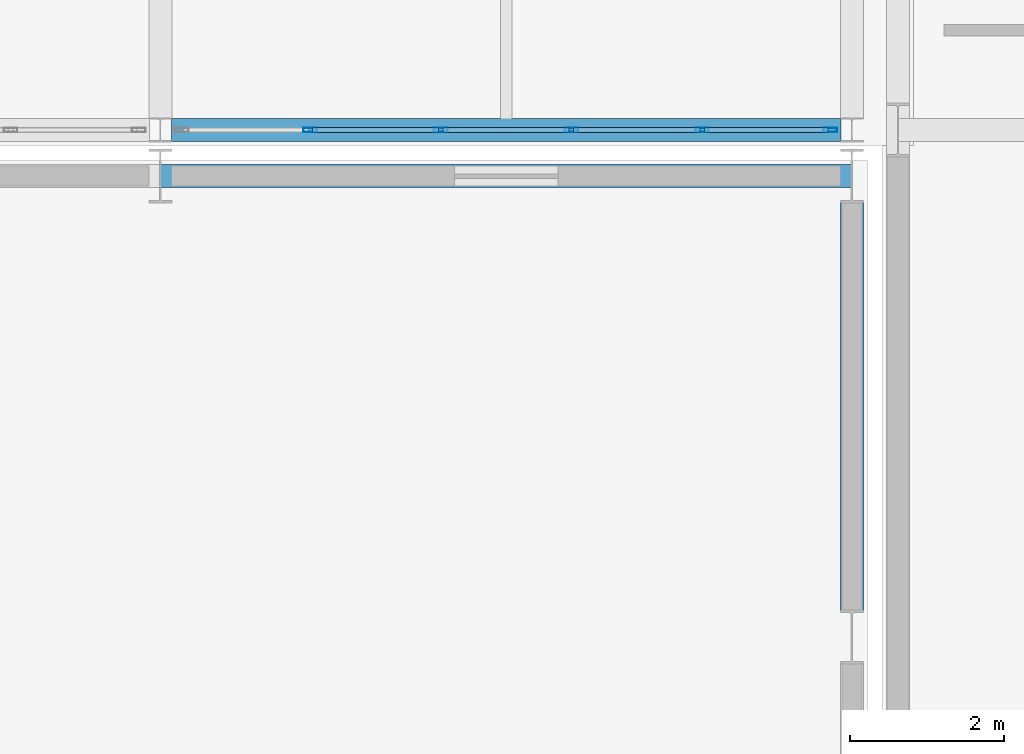
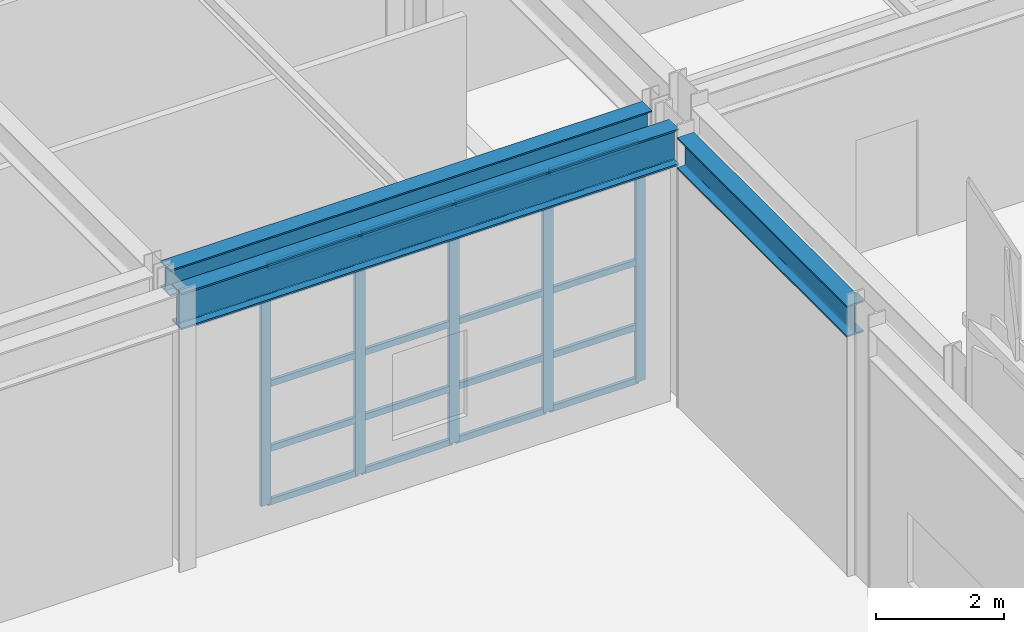
# One storey, part 30 of 239: 21 members, 3 beams, 1 element without a shape of its own.
"""IFC4 building model written with IfcOpenShell, lengths in metres."""

from ifc_helpers import new_model, si_unit, direction, frame, origin, origin_2d, place, context, subcontext, project, spatial, hollow_rectangle, i_section, extrude, material, material_profile, profile_set, type_object, element, aggregate, save


model = new_model("IFC4")

# Units and contexts
model_context = context("Model", 3, precision=1e-05, world=origin(), true_north=direction((0.0, 1.0)))
body_context = subcontext(model_context, "Body", "Model", "MODEL_VIEW")
ifc_project = project(units=[si_unit("LENGTHUNIT", "METRE"), si_unit("AREAUNIT", "SQUARE_METRE"), si_unit("VOLUMEUNIT", "CUBIC_METRE"), si_unit("PLANEANGLEUNIT", "RADIAN"), si_unit("MASSUNIT", "GRAM", prefix="KILO")], contexts=[model_context])

# Site, building, storey
site_placement = place(None, origin())
site = spatial("IfcSite", under=ifc_project, at=site_placement, CompositionType="ELEMENT")
building_placement = place(site_placement, origin())
building = spatial("IfcBuilding", under=site, at=building_placement, Name="Kaldris Quays Convention Centre", CompositionType="ELEMENT")
storey_placement = place(building_placement, frame((0.0, 0.0, 11.39990234375)))
storey = spatial("IfcBuildingStorey", under=building, at=storey_placement, Name="L02", CompositionType="ELEMENT", Elevation=11.39990234375)

# Curtain wall, members
ifc_material_1 = material(Name="Anodized aluminium AW-6060 and triple glazing", Category="aluminium")
curtain_wall_type = type_object("IfcCurtainWallType", Name="UNITISED CURTAIN WALL CW02", PredefinedType="NOTDEFINED", material=ifc_material_1)
curtain_wall_placement = place(storey_placement, origin())
curtain_wall = element("IfcCurtainWall", 1, at=curtain_wall_placement, inside=storey, type_object=curtain_wall_type, Name="L02 Unitised Curtain Wall CW02 102", PredefinedType="NOTDEFINED")
ifc_material_2 = material(Name="Anodized aluminium AW-6060", Category="aluminium")
ifc_material_profile_1 = material_profile(ifc_material_2, hollow_rectangle(XDim=0.06005859375, YDim=0.179931640625, WallThickness=0.0048828125, at=origin_2d()), Name="RHS 180x60x5")
ifc_profile_set_1 = profile_set([ifc_material_profile_1], Name="Anodized aluminium AW-6060")
member_type_1 = type_object("IfcMemberType", Name="CURTAIN MULLION CWM2", PredefinedType="MULLION", material=ifc_profile_set_1)
member_1_placement = place(storey_placement, frame((75.949951171875, 46.60009765625, 0.0), z_axis=(0.0, 0.0, 1.0), x_axis=(0.0, 1.0, 0.0)))
member_1 = element("IfcMember", 2, at=member_1_placement, type_object=member_type_1, Name="CW02 mullion 2", PredefinedType="MULLION", context=body_context, shape_type="SweptSolid", body=[
    extrude(hollow_rectangle(XDim=0.06005859375, YDim=0.179931640625, WallThickness=0.0048828125, at=origin_2d()), origin(), (0.0, 0.0, 1.0), 4.578125),
])
member_2_placement = place(storey_placement, frame((77.64990234375, 46.60009765625, 0.0), z_axis=(0.0, 0.0, 1.0), x_axis=(0.0, 1.0, 0.0)))
member_2 = element("IfcMember", 3, at=member_2_placement, type_object=member_type_1, Name="CW02 mullion 3", PredefinedType="MULLION", context=body_context, shape_type="SweptSolid", body=[
    extrude(hollow_rectangle(XDim=0.06005859375, YDim=0.179931640625, WallThickness=0.0048828125, at=origin_2d()), origin(), (0.0, 0.0, 1.0), 4.578125),
])
member_3_placement = place(storey_placement, frame((79.35009765625, 46.60009765625, 0.0), z_axis=(0.0, 0.0, 1.0), x_axis=(0.0, 1.0, 0.0)))
member_3 = element("IfcMember", 4, at=member_3_placement, type_object=member_type_1, Name="CW02 mullion 4", PredefinedType="MULLION", context=body_context, shape_type="SweptSolid", body=[
    extrude(hollow_rectangle(XDim=0.06005859375, YDim=0.179931640625, WallThickness=0.0048828125, at=origin_2d()), origin(), (0.0, 0.0, 1.0), 4.578125),
])
member_4_placement = place(storey_placement, frame((81.050048828125, 46.60009765625, 0.0), z_axis=(0.0, 0.0, 1.0), x_axis=(0.0, 1.0, 0.0)))
member_4 = element("IfcMember", 5, at=member_4_placement, type_object=member_type_1, Name="CW02 mullion 5", PredefinedType="MULLION", context=body_context, shape_type="SweptSolid", body=[
    extrude(hollow_rectangle(XDim=0.06005859375, YDim=0.179931640625, WallThickness=0.0048828125, at=origin_2d()), origin(), (0.0, 0.0, 1.0), 4.578125),
])
member_5_placement = place(storey_placement, frame((82.719970703125, 46.60009765625, 0.0), z_axis=(0.0, 0.0, 1.0), x_axis=(0.0, 1.0, 0.0)))
member_5 = element("IfcMember", 6, at=member_5_placement, type_object=member_type_1, Name="CW02 mullion 6", PredefinedType="MULLION", context=body_context, shape_type="SweptSolid", body=[
    extrude(hollow_rectangle(XDim=0.06005859375, YDim=0.179931640625, WallThickness=0.0048828125, at=origin_2d()), origin(), (0.0, 0.0, 1.0), 4.578125),
])
ifc_material_profile_2 = material_profile(ifc_material_2, hollow_rectangle(XDim=0.06005859375, YDim=0.1201171875, WallThickness=0.00390625, at=origin_2d()), Name="RHS 120x60x4")
ifc_profile_set_2 = profile_set([ifc_material_profile_2], Name="Anodized aluminium AW-6060")
member_type_2 = type_object("IfcMemberType", Name="CURTAIN TRANSOM CWT1", PredefinedType="USERDEFINED", material=ifc_profile_set_2)
member_6_placement = place(storey_placement, frame((75.97998046875, 46.60009765625, 0.030029296875), z_axis=(1.0, 0.0, 0.0), x_axis=(0.0, 1.0, 0.0)))
member_6 = element("IfcMember", 7, at=member_6_placement, type_object=member_type_2, Name="CW02 transom 2.1", ObjectType="TRANSOM", PredefinedType="USERDEFINED", context=body_context, shape_type="SweptSolid", body=[
    extrude(hollow_rectangle(XDim=0.06005859375, YDim=0.1201171875, WallThickness=0.00390625, at=origin_2d()), origin(), (0.0, 0.0, 1.0), 1.64013671875),
])
member_7_placement = place(storey_placement, frame((75.97998046875, 46.60009765625, 1.050048828125), z_axis=(1.0, 0.0, 0.0), x_axis=(0.0, 1.0, 0.0)))
member_7 = element("IfcMember", 8, at=member_7_placement, type_object=member_type_2, Name="CW02 transom 2.2", ObjectType="TRANSOM", PredefinedType="USERDEFINED", context=body_context, shape_type="SweptSolid", body=[
    extrude(hollow_rectangle(XDim=0.06005859375, YDim=0.1201171875, WallThickness=0.00390625, at=origin_2d()), origin(), (0.0, 0.0, 1.0), 1.64013671875),
])
member_8_placement = place(storey_placement, frame((75.97998046875, 46.60009765625, 2.2890625), z_axis=(1.0, 0.0, 0.0), x_axis=(0.0, 1.0, 0.0)))
member_8 = element("IfcMember", 9, at=member_8_placement, type_object=member_type_2, Name="CW02 transom 2.3", ObjectType="TRANSOM", PredefinedType="USERDEFINED", context=body_context, shape_type="SweptSolid", body=[
    extrude(hollow_rectangle(XDim=0.06005859375, YDim=0.1201171875, WallThickness=0.00390625, at=origin_2d()), origin(), (0.0, 0.0, 1.0), 1.64013671875),
])
member_9_placement = place(storey_placement, frame((75.97998046875, 46.60009765625, 4.548095703125), z_axis=(1.0, 0.0, 0.0), x_axis=(0.0, 1.0, 0.0)))
member_9 = element("IfcMember", 10, at=member_9_placement, type_object=member_type_2, Name="CW02 transom 2.4", ObjectType="TRANSOM", PredefinedType="USERDEFINED", context=body_context, shape_type="SweptSolid", body=[
    extrude(hollow_rectangle(XDim=0.06005859375, YDim=0.1201171875, WallThickness=0.00390625, at=origin_2d()), origin(), (0.0, 0.0, 1.0), 1.64013671875),
])
member_10_placement = place(storey_placement, frame((77.679931640625, 46.60009765625, 0.030029296875), z_axis=(1.0, 0.0, 0.0), x_axis=(0.0, 1.0, 0.0)))
member_10 = element("IfcMember", 11, at=member_10_placement, type_object=member_type_2, Name="CW02 transom 3.1", ObjectType="TRANSOM", PredefinedType="USERDEFINED", context=body_context, shape_type="SweptSolid", body=[
    extrude(hollow_rectangle(XDim=0.06005859375, YDim=0.1201171875, WallThickness=0.00390625, at=origin_2d()), origin(), (0.0, 0.0, 1.0), 1.64013671875),
])
member_11_placement = place(storey_placement, frame((77.679931640625, 46.60009765625, 1.050048828125), z_axis=(1.0, 0.0, 0.0), x_axis=(0.0, 1.0, 0.0)))
member_11 = element("IfcMember", 12, at=member_11_placement, type_object=member_type_2, Name="CW02 transom 3.2", ObjectType="TRANSOM", PredefinedType="USERDEFINED", context=body_context, shape_type="SweptSolid", body=[
    extrude(hollow_rectangle(XDim=0.06005859375, YDim=0.1201171875, WallThickness=0.00390625, at=origin_2d()), origin(), (0.0, 0.0, 1.0), 1.64013671875),
])
member_12_placement = place(storey_placement, frame((77.679931640625, 46.60009765625, 2.2890625), z_axis=(1.0, 0.0, 0.0), x_axis=(0.0, 1.0, 0.0)))
member_12 = element("IfcMember", 13, at=member_12_placement, type_object=member_type_2, Name="CW02 transom 3.3", ObjectType="TRANSOM", PredefinedType="USERDEFINED", context=body_context, shape_type="SweptSolid", body=[
    extrude(hollow_rectangle(XDim=0.06005859375, YDim=0.1201171875, WallThickness=0.00390625, at=origin_2d()), origin(), (0.0, 0.0, 1.0), 1.64013671875),
])
member_13_placement = place(storey_placement, frame((77.679931640625, 46.60009765625, 4.548095703125), z_axis=(1.0, 0.0, 0.0), x_axis=(0.0, 1.0, 0.0)))
member_13 = element("IfcMember", 14, at=member_13_placement, type_object=member_type_2, Name="CW02 transom 3.4", ObjectType="TRANSOM", PredefinedType="USERDEFINED", context=body_context, shape_type="SweptSolid", body=[
    extrude(hollow_rectangle(XDim=0.06005859375, YDim=0.1201171875, WallThickness=0.00390625, at=origin_2d()), origin(), (0.0, 0.0, 1.0), 1.64013671875),
])
member_14_placement = place(storey_placement, frame((79.3798828125, 46.60009765625, 0.030029296875), z_axis=(1.0, 0.0, 0.0), x_axis=(0.0, 1.0, 0.0)))
member_14 = element("IfcMember", 15, at=member_14_placement, type_object=member_type_2, Name="CW02 transom 4.1", ObjectType="TRANSOM", PredefinedType="USERDEFINED", context=body_context, shape_type="SweptSolid", body=[
    extrude(hollow_rectangle(XDim=0.06005859375, YDim=0.1201171875, WallThickness=0.00390625, at=origin_2d()), origin(), (0.0, 0.0, 1.0), 1.64013671875),
])
member_15_placement = place(storey_placement, frame((79.3798828125, 46.60009765625, 1.050048828125), z_axis=(1.0, 0.0, 0.0), x_axis=(0.0, 1.0, 0.0)))
member_15 = element("IfcMember", 16, at=member_15_placement, type_object=member_type_2, Name="CW02 transom 4.2", ObjectType="TRANSOM", PredefinedType="USERDEFINED", context=body_context, shape_type="SweptSolid", body=[
    extrude(hollow_rectangle(XDim=0.06005859375, YDim=0.1201171875, WallThickness=0.00390625, at=origin_2d()), origin(), (0.0, 0.0, 1.0), 1.64013671875),
])
member_16_placement = place(storey_placement, frame((79.3798828125, 46.60009765625, 2.2890625), z_axis=(1.0, 0.0, 0.0), x_axis=(0.0, 1.0, 0.0)))
member_16 = element("IfcMember", 17, at=member_16_placement, type_object=member_type_2, Name="CW02 transom 4.3", ObjectType="TRANSOM", PredefinedType="USERDEFINED", context=body_context, shape_type="SweptSolid", body=[
    extrude(hollow_rectangle(XDim=0.06005859375, YDim=0.1201171875, WallThickness=0.00390625, at=origin_2d()), origin(), (0.0, 0.0, 1.0), 1.64013671875),
])
member_17_placement = place(storey_placement, frame((79.3798828125, 46.60009765625, 4.548095703125), z_axis=(1.0, 0.0, 0.0), x_axis=(0.0, 1.0, 0.0)))
member_17 = element("IfcMember", 18, at=member_17_placement, type_object=member_type_2, Name="CW02 transom 4.4", ObjectType="TRANSOM", PredefinedType="USERDEFINED", context=body_context, shape_type="SweptSolid", body=[
    extrude(hollow_rectangle(XDim=0.06005859375, YDim=0.1201171875, WallThickness=0.00390625, at=origin_2d()), origin(), (0.0, 0.0, 1.0), 1.64013671875),
])
member_18_placement = place(storey_placement, frame((81.080078125, 46.60009765625, 0.030029296875), z_axis=(1.0, 0.0, 0.0), x_axis=(0.0, 1.0, 0.0)))
member_18 = element("IfcMember", 19, at=member_18_placement, type_object=member_type_2, Name="CW02 transom 5.1", ObjectType="TRANSOM", PredefinedType="USERDEFINED", context=body_context, shape_type="SweptSolid", body=[
    extrude(hollow_rectangle(XDim=0.06005859375, YDim=0.1201171875, WallThickness=0.00390625, at=origin_2d()), origin(), (0.0, 0.0, 1.0), 1.60986328125),
])
member_19_placement = place(storey_placement, frame((81.080078125, 46.60009765625, 1.050048828125), z_axis=(1.0, 0.0, 0.0), x_axis=(0.0, 1.0, 0.0)))
member_19 = element("IfcMember", 20, at=member_19_placement, type_object=member_type_2, Name="CW02 transom 5.2", ObjectType="TRANSOM", PredefinedType="USERDEFINED", context=body_context, shape_type="SweptSolid", body=[
    extrude(hollow_rectangle(XDim=0.06005859375, YDim=0.1201171875, WallThickness=0.00390625, at=origin_2d()), origin(), (0.0, 0.0, 1.0), 1.60986328125),
])
member_20_placement = place(storey_placement, frame((81.080078125, 46.60009765625, 2.2890625), z_axis=(1.0, 0.0, 0.0), x_axis=(0.0, 1.0, 0.0)))
member_20 = element("IfcMember", 21, at=member_20_placement, type_object=member_type_2, Name="CW02 transom 5.3", ObjectType="TRANSOM", PredefinedType="USERDEFINED", context=body_context, shape_type="SweptSolid", body=[
    extrude(hollow_rectangle(XDim=0.06005859375, YDim=0.1201171875, WallThickness=0.00390625, at=origin_2d()), origin(), (0.0, 0.0, 1.0), 1.60986328125),
])
member_21_placement = place(storey_placement, frame((81.080078125, 46.60009765625, 4.548095703125), z_axis=(1.0, 0.0, 0.0), x_axis=(0.0, 1.0, 0.0)))
member_21 = element("IfcMember", 22, at=member_21_placement, type_object=member_type_2, Name="CW02 transom 5.4", ObjectType="TRANSOM", PredefinedType="USERDEFINED", context=body_context, shape_type="SweptSolid", body=[
    extrude(hollow_rectangle(XDim=0.06005859375, YDim=0.1201171875, WallThickness=0.00390625, at=origin_2d()), origin(), (0.0, 0.0, 1.0), 1.60986328125),
])
aggregate(curtain_wall, [member_1, member_2, member_3, member_4, member_5, member_6, member_7, member_8, member_9, member_10, member_11, member_12, member_13, member_14, member_15, member_16, member_17, member_18, member_19, member_20, member_21])

# Beams
ifc_material_3 = material(Name="Steel S355J2", Category="steel")
ifc_material_profile_3 = material_profile(ifc_material_3, i_section(OverallWidth=0.300048828125, OverallDepth=0.699951171875, WebThickness=0.01708984375, FlangeThickness=0.031982421875, FilletRadius=0.027099609375, at=origin_2d()), Name="HEB 700")
ifc_profile_set_3 = profile_set([ifc_material_profile_3], Name="Steel S355J2")
beam_type_1 = type_object("IfcBeamType", Name="STRUCTURAL BEAM BM04", PredefinedType="BEAM", material=ifc_profile_set_3)
beam_1_placement = place(storey_placement, frame((74.00244140625, 46.0, 4.81298828125), z_axis=(1.0, 0.0, 0.0), x_axis=(0.0, 1.0, 0.0)))
element("IfcBeam", 23, at=beam_1_placement, inside=storey, type_object=beam_type_1, Name="L02 Girder BM04 14", PredefinedType="BEAM", context=body_context, shape_type="SweptSolid", body=[
    extrude(i_section(OverallWidth=0.300048828125, OverallDepth=0.699951171875, WebThickness=0.01708984375, FlangeThickness=0.031982421875, FilletRadius=0.027099609375, at=origin_2d()), origin(), (0.0, 0.0, 1.0), 8.9951171875),
])
ifc_material_profile_4 = material_profile(ifc_material_3, i_section(OverallWidth=0.300048828125, OverallDepth=0.60009765625, WebThickness=0.015380859375, FlangeThickness=0.030029296875, FilletRadius=0.027099609375, at=origin_2d()), Name="HEB 600")
ifc_profile_set_4 = profile_set([ifc_material_profile_4], Name="Steel S355J2")
beam_type_2 = type_object("IfcBeamType", Name="STRUCTURAL BEAM BM05", PredefinedType="BEAM", material=ifc_profile_set_4)
beam_2_placement = place(storey_placement, frame((83.0, 40.343994140625, 4.863037109375), z_axis=(0.0, 1.0, 0.0), x_axis=(-1.0, 0.0, 0.0)))
element("IfcBeam", 24, at=beam_2_placement, inside=storey, type_object=beam_type_2, Name="L02 Girder BM05 24", PredefinedType="BEAM", context=body_context, shape_type="SweptSolid", body=[
    extrude(i_section(OverallWidth=0.300048828125, OverallDepth=0.60009765625, WebThickness=0.015380859375, FlangeThickness=0.030029296875, FilletRadius=0.027099609375, at=origin_2d()), origin(), (0.0, 0.0, 1.0), 5.31201171875),
])
ifc_material_profile_5 = material_profile(ifc_material_3, i_section(OverallWidth=0.300048828125, OverallDepth=0.5, WebThickness=0.014404296875, FlangeThickness=0.028076171875, FilletRadius=0.027099609375, at=origin_2d()), Name="HEB 500")
ifc_profile_set_5 = profile_set([ifc_material_profile_5], Name="Steel S355J2")
beam_type_3 = type_object("IfcBeamType", Name="STRUCTURAL BEAM BM06", PredefinedType="BEAM", material=ifc_profile_set_5)
beam_3_placement = place(storey_placement, frame((74.14404296875, 46.60009765625, 4.943115234375), z_axis=(1.0, 0.0, 0.0), x_axis=(0.0, 1.0, 0.0)))
element("IfcBeam", 25, at=beam_3_placement, inside=storey, type_object=beam_type_3, Name="L02 Girder BM06 6", PredefinedType="BEAM", context=body_context, shape_type="SweptSolid", body=[
    extrude(i_section(OverallWidth=0.300048828125, OverallDepth=0.5, WebThickness=0.014404296875, FlangeThickness=0.028076171875, FilletRadius=0.027099609375, at=origin_2d()), origin(), (0.0, 0.0, 1.0), 8.7119140625),
])

save(model, "model.ifc")
